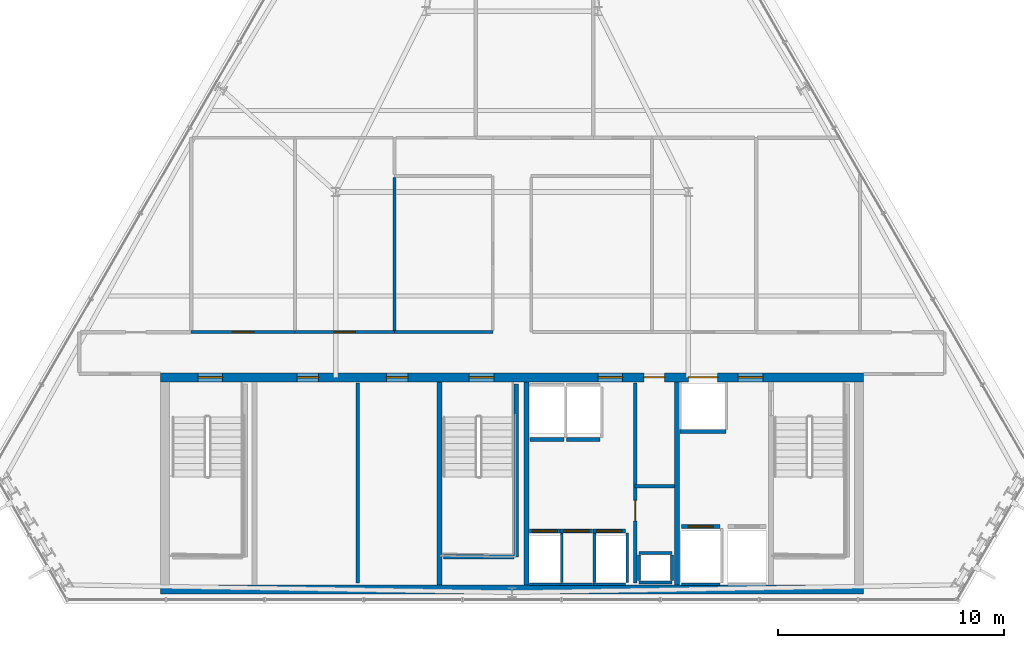
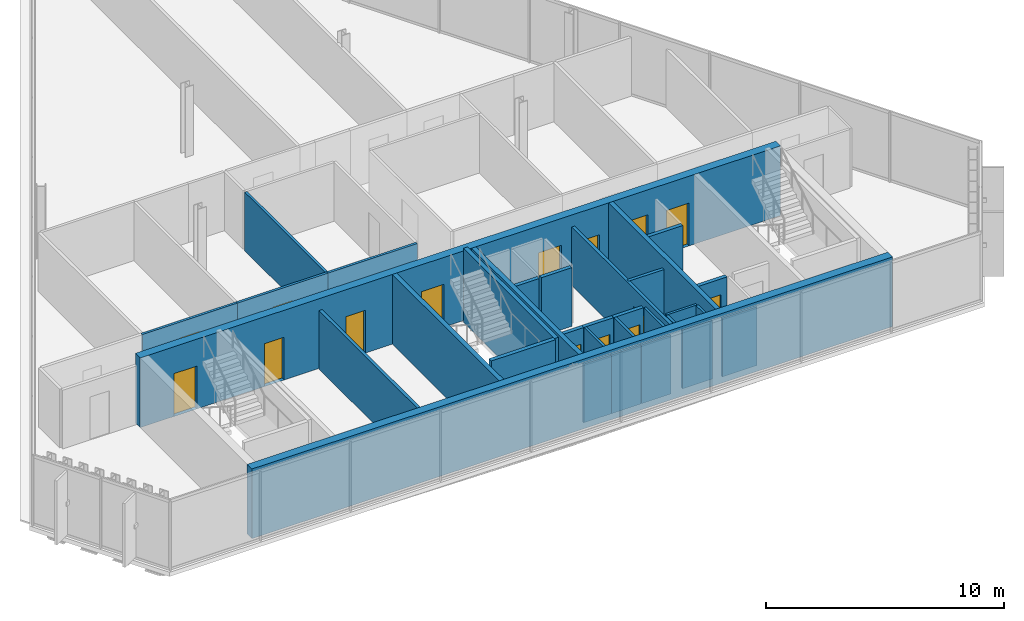
# One storey, part 24 of 29: 32 walls, 15 doors, 15 openings.
"""IFC4 building model written with IfcOpenShell, lengths in metres."""

import ifcopenshell
import ifcopenshell.guid

model = None  # the IFC model being written
_history = None  # IfcOwnerHistory: only IFC2X3 demands one
_inside = {}  # id of a spatial element -> (the spatial element, [elements in it])
_under = {}  # id of a project, library or spatial element -> (it, [spatial elements below it])
_declared = {}  # id of a project -> (the project, [libraries it declares])
_typed = {}  # id of a type object -> (the type object, [elements of that type])
_made_of = {}  # id of a material, layer set ... -> (it, [elements and type objects made of it])


def new_model(schema):
    """Start an empty IFC model of exactly this schema.

    Asked for "IFC4X3", IfcOpenShell would pick the latest addendum, in which some entities
    have other attributes; the version numbers below select the first issue.
    IFC2X3 requires an IfcOwnerHistory on every rooted entity: one is made here for all.
    """
    global model, _history
    if schema == "IFC4X3":
        model = ifcopenshell.file(schema_version=(4, 3, 0, 0))
    else:
        model = ifcopenshell.file(schema=schema)
    _inside.clear()
    _under.clear()
    _declared.clear()
    _typed.clear()
    _made_of.clear()
    _history = None
    if model.schema == "IFC2X3":
        org = make("IfcOrganization", Name="unknown")
        user = make(
            "IfcPersonAndOrganization",
            ThePerson=make("IfcPerson", FamilyName="unknown"),
            TheOrganization=org,
        )
        app = make(
            "IfcApplication",
            ApplicationDeveloper=org,
            Version="unknown",
            ApplicationFullName="unknown",
            ApplicationIdentifier="unknown",
        )
        _history = make(
            "IfcOwnerHistory",
            OwningUser=user,
            OwningApplication=app,
            ChangeAction="ADDED",
            CreationDate=0,
        )
    return model


def make(cls, **values):
    """One entity of the class cls with the attributes given. An attribute that is None is left unset."""
    return model.create_entity(
        cls, **{name: value for name, value in values.items() if value is not None}
    )


def rooted(cls, **values):
    """An entity with a GlobalId (a new one), such as an element, a storey or a relation."""
    return make(cls, GlobalId=ifcopenshell.guid.new(), OwnerHistory=_history, **values)


def si_unit(unit_type, name, prefix=None):
    """IfcSIUnit, for example si_unit("LENGTHUNIT", "METRE", prefix="MILLI")."""
    return make("IfcSIUnit", UnitType=unit_type, Prefix=prefix, Name=name)


def assignment(units):
    """IfcUnitAssignment: the units of a project."""
    return None if units is None else make("IfcUnitAssignment", Units=units)


def point(xyz):
    """IfcCartesianPoint."""
    return None if xyz is None else make("IfcCartesianPoint", Coordinates=xyz)


def direction(xyz):
    """IfcDirection."""
    return None if xyz is None else make("IfcDirection", DirectionRatios=xyz)


def frame(location, z_axis=None, x_axis=None):
    """IfcAxis2Placement3D, a coordinate frame: its origin and axes. An axis left out is left unset."""
    return make(
        "IfcAxis2Placement3D",
        Location=point(location),
        Axis=direction(z_axis),
        RefDirection=direction(x_axis),
    )


def frame_2d(location, x_axis=None):
    """IfcAxis2Placement2D, a coordinate frame in the plane: its origin and x axis."""
    return make(
        "IfcAxis2Placement2D", Location=point(location), RefDirection=direction(x_axis)
    )


def origin():
    """The frame at (0, 0, 0) with its axes left unset."""
    return frame((0.0, 0.0, 0.0))


def place(relative_to, where):
    """IfcLocalPlacement: puts the frame where relative to a parent placement (None: the world)."""
    return make(
        "IfcLocalPlacement", PlacementRelTo=relative_to, RelativePlacement=where
    )


def context(
    kind, dimensions, precision=None, world=None, true_north=None, identifier=None
):
    """IfcGeometricRepresentationContext, for example the 3D "Model" context."""
    return make(
        "IfcGeometricRepresentationContext",
        ContextIdentifier=identifier,
        ContextType=kind,
        CoordinateSpaceDimension=dimensions,
        Precision=precision,
        WorldCoordinateSystem=world,
        TrueNorth=true_north,
    )


def subcontext(parent, identifier, kind, view, scale=None):
    """IfcGeometricRepresentationSubContext, for example "Body" below "Model"."""
    return make(
        "IfcGeometricRepresentationSubContext",
        ContextIdentifier=identifier,
        ContextType=kind,
        ParentContext=parent,
        TargetScale=scale,
        TargetView=view,
    )


def project(units=None, contexts=None):
    """IfcProject with its units and contexts."""
    return rooted(
        "IfcProject",
        Name="project",
        RepresentationContexts=contexts,
        UnitsInContext=assignment(units),
    )


def spatial(cls, under=None, at=None, **own):
    """A site, building, storey or space (cls), placed at a placement, below another one or the project."""
    s = rooted(cls, ObjectPlacement=at, **own)
    if under is not None:
        _under.setdefault(under.id(), (under, []))[1].append(s)
    return s


def profile(cls, at=None, kind="AREA", **sizes):
    """A parametric profile (cls). Its sizes go by their IFC names, for example OverallWidth=200.0."""
    return make(cls, ProfileType=kind, Position=at, **sizes)


def rectangle(**sizes):
    """IfcRectangleProfileDef."""
    return profile("IfcRectangleProfileDef", **sizes)


def extrude(swept, where, along, depth):
    """IfcExtrudedAreaSolid: the profile swept, set in the frame where, extruded along a direction by depth."""
    return make(
        "IfcExtrudedAreaSolid",
        SweptArea=swept,
        Position=where,
        ExtrudedDirection=direction(along),
        Depth=depth,
    )


def shape(context_of_items, identifier, shape_type, items):
    """IfcShapeRepresentation: the items that make up one representation, for example the "Body"."""
    return make(
        "IfcShapeRepresentation",
        ContextOfItems=context_of_items,
        RepresentationIdentifier=identifier,
        RepresentationType=shape_type,
        Items=items,
    )


def material(Name=None, Category=None):
    """IfcMaterial."""
    return make("IfcMaterial", Name=Name, Category=Category)


def layer(
    of_material, thickness, ventilated=None, Name=None, Category=None, Priority=None
):
    """IfcMaterialLayer: one layer of a wall or slab, of a material (None: an air gap)."""
    return make(
        "IfcMaterialLayer",
        Material=of_material,
        LayerThickness=thickness,
        IsVentilated=ventilated,
        Name=Name,
        Category=Category,
        Priority=Priority,
    )


def layer_set(layers, Name=None):
    """IfcMaterialLayerSet."""
    return make("IfcMaterialLayerSet", MaterialLayers=layers, LayerSetName=Name)


def made_of(thing, what):
    """Note that an element or type object is made of a material, layer set ...; save() writes the relation."""
    if what is not None:
        _made_of.setdefault(what.id(), (what, []))[1].append(thing)
    return thing


def type_object(cls, material=None, **own):
    """A type object (cls), such as IfcWallType, which elements share."""
    return made_of(rooted(cls, **own), material)


def element(
    cls,
    number,
    at=None,
    inside=None,
    cuts=None,
    type_object=None,
    material=None,
    context=None,
    identifier="Body",
    shape_type=None,
    held_by="IfcProductDefinitionShape",
    body=None,
    shapes=None,
    **own,
):
    """One element of the class cls, such as IfcWall. Its Tag is "e" and its number.

    at: its placement. inside: the storey or other place that contains it. cuts: it is an
    opening in that element (IfcRelVoidsElement). A single representation is given by context,
    identifier, shape_type and body (its items); several are given by shapes. held_by: the class
    of the entity that holds the representations. save() writes the other relations.
    """
    e = rooted(cls, Tag="e%d" % number, ObjectPlacement=at, **own)
    if body is not None:
        shapes = [shape(context, identifier, shape_type, body)]
    if shapes is not None:
        e.Representation = make(held_by, Representations=shapes)
    if inside is not None:
        _inside.setdefault(inside.id(), (inside, []))[1].append(e)
    if cuts is not None:
        rooted(
            "IfcRelVoidsElement", RelatingBuildingElement=cuts, RelatedOpeningElement=e
        )
    if type_object is not None:
        _typed.setdefault(type_object.id(), (type_object, []))[1].append(e)
    return made_of(e, material)


def fill(opening, filler):
    """IfcRelFillsElement: the door or window that sits in an opening."""
    return rooted(
        "IfcRelFillsElement",
        RelatingOpeningElement=opening,
        RelatedBuildingElement=filler,
    )


def aggregate(whole, parts):
    """IfcRelAggregates: a whole, such as a stair, and the parts it consists of."""
    return rooted("IfcRelAggregates", RelatingObject=whole, RelatedObjects=parts)


def save(model, path):
    """Write the relations noted so far, then the file.

    IfcRelAggregates (storeys below a building ...), IfcRelContainedInSpatialStructure (elements
    in a storey), IfcRelDefinesByType, IfcRelAssociatesMaterial and IfcRelDeclares: one each for
    every whole, place, type object, material and project.
    """
    for whole, parts in _under.values():
        aggregate(whole, parts)
    for where, things in _inside.values():
        rooted(
            "IfcRelContainedInSpatialStructure",
            RelatedElements=things,
            RelatingStructure=where,
        )
    for kind, things in _typed.values():
        rooted("IfcRelDefinesByType", RelatedObjects=things, RelatingType=kind)
    for what, things in _made_of.values():
        rooted("IfcRelAssociatesMaterial", RelatedObjects=things, RelatingMaterial=what)
    for by, libraries in _declared.values():
        rooted("IfcRelDeclares", RelatingContext=by, RelatedDefinitions=libraries)
    model.write(path)


model = new_model("IFC4")

# Units and contexts
model_context = context("Model", 3, precision=1e-05, world=origin(), true_north=direction((0.0, 1.0)))
body_context = subcontext(model_context, "Body", "Model", "MODEL_VIEW")
ifc_project = project(units=[si_unit("LENGTHUNIT", "METRE"), si_unit("AREAUNIT", "SQUARE_METRE"), si_unit("VOLUMEUNIT", "CUBIC_METRE"), si_unit("PLANEANGLEUNIT", "RADIAN"), si_unit("MASSUNIT", "GRAM", prefix="KILO")], contexts=[model_context])

# Site, building, storey
site_placement = place(None, origin())
site = spatial("IfcSite", under=ifc_project, at=site_placement, CompositionType="ELEMENT")
building_placement = place(site_placement, origin())
building = spatial("IfcBuilding", under=site, at=building_placement, Name="Ndaravel Arena Tower", CompositionType="ELEMENT")
storey_placement = place(building_placement, frame((0.0, 0.0, 240.800048828125)))
storey = spatial("IfcBuildingStorey", under=building, at=storey_placement, Name="L58", CompositionType="ELEMENT", Elevation=240.800048828125)

# Wall, opening, door
ifc_material_1 = material(Name="Gypsum", Category="gypsum")
ifc_layer_1 = layer(ifc_material_1, 0.14990234375)
ifc_layer_set_1 = layer_set([ifc_layer_1], Name="Gypsum")
wall_type_1 = type_object("IfcWallType", Name="WALL-COMP-150", PredefinedType="PARTITIONING", material=ifc_layer_set_1)
wall_1_placement = place(storey_placement, frame((47.449951171875, 5.89990234375, 0.0), z_axis=(0.0, 0.0, 1.0), x_axis=(0.0, 1.0, 0.0)))
wall_1 = element("IfcWall", 1, at=wall_1_placement, inside=storey, type_object=wall_type_1, Name="L58 Core Riser Bay Partition", PredefinedType="PARTITIONING", context=body_context, shape_type="SweptSolid", body=[
    extrude(rectangle(XDim=8.85009765625, YDim=0.14990234375, at=frame_2d((4.425048828125, 0.0))), origin(), (0.0, 0.0, 1.0), 3.010498046875),
])
opening_1_placement = place(wall_1_placement, frame((2.75, 0.0, 0.0)))
opening_1 = element("IfcOpeningElement", 2, at=opening_1_placement, cuts=wall_1, Name="Opening RD-01", PredefinedType="OPENING", context=body_context, shape_type="SweptSolid", body=[
    extrude(rectangle(XDim=0.89990234375, YDim=2.10009765625, at=frame_2d((0.449951171875, 1.050048828125))), frame((0.0, 0.074951171875, 0.0), z_axis=(0.0, -1.0, 0.0), x_axis=(1.0, 0.0, 0.0)), (0.0, 0.0, 1.0), 0.14990234375),
])
ifc_material_2 = material(Name="Steel S355", Category="steel")
door_type_1 = type_object("IfcDoorType", Name="DT-08-RISER-900", OperationType="SINGLE_SWING_LEFT", PredefinedType="DOOR", material=ifc_material_2)
door_1_placement = place(opening_1_placement, origin())
door_1 = element("IfcDoor", 3, at=door_1_placement, inside=storey, type_object=door_type_1, Name="L58 Electrical Riser Door", OperationType="SINGLE_SWING_RIGHT", OverallHeight=2.10009765625, OverallWidth=0.89990234375, PredefinedType="DOOR", context=body_context, shape_type="SweptSolid", body=[
    extrude(rectangle(XDim=0.89990234375, YDim=2.10009765625, at=frame_2d((0.449951171875, 1.050048828125))), frame((0.0, 0.02490234375, 0.0), z_axis=(0.0, -1.0, 0.0), x_axis=(1.0, 0.0, 0.0)), (0.0, 0.0, 1.0), 0.050048828125),
])
fill(opening_1, door_1)

# Walls
wall_2_placement = place(storey_placement, frame((47.449951171875, 10.179931640625, 0.0), z_axis=(0.0, 0.0, 1.0), x_axis=(1.0, 0.0, 0.0)))
element("IfcWall", 4, at=wall_2_placement, inside=storey, type_object=wall_type_1, Name="L58 Core Riser Divider 1", PredefinedType="PARTITIONING", context=body_context, shape_type="SweptSolid", body=[
    extrude(rectangle(XDim=1.72998046875, YDim=0.14990234375, at=frame_2d((0.864990234375, 0.0))), origin(), (0.0, 0.0, 1.0), 3.010498046875),
])
wall_3_placement = place(storey_placement, frame((35.179931640625, 5.89990234375, 0.0), z_axis=(0.0, 0.0, 1.0), x_axis=(0.0, 1.0, 0.0)))
element("IfcWall", 5, at=wall_3_placement, inside=storey, type_object=wall_type_1, Name="L58 High-Zone Core Divider 1", PredefinedType="PARTITIONING", context=body_context, shape_type="SweptSolid", body=[
    extrude(rectangle(XDim=8.85009765625, YDim=0.14990234375, at=frame_2d((4.425048828125, 0.0))), origin(), (0.0, 0.0, 1.0), 3.010498046875),
])
ifc_material_3 = material(Name="Concrete C50/60", Category="concrete")
ifc_layer_2 = layer(ifc_material_3, 0.219970703125)
ifc_layer_set_2 = layer_set([ifc_layer_2], Name="Concrete C50/60")
wall_type_2 = type_object("IfcWallType", Name="WALL-CORE-220", PredefinedType="SOLIDWALL", material=ifc_layer_set_2)
for number, where, z_axis, x_axis, name in (
    (6, (38.800048828125, 5.800048828125, 0.0), (0.0, 0.0, 1.0), (0.0, 1.0, 0.0), "L58 Core Web Shear Wall 2"),
    (7, (42.64990234375, 5.800048828125, 0.0), (0.0, 0.0, 1.0), (0.0, 1.0, 0.0), "L58 Core Web Shear Wall 3"),
    (8, (49.300048828125, 5.800048828125, 0.0), (0.0, 0.0, 1.0), (0.0, 1.0, 0.0), "L58 Core Web Shear Wall 4"),
):
    element("IfcWall", number, at=place(storey_placement, frame(where, z_axis=z_axis, x_axis=x_axis)), inside=storey, type_object=wall_type_2, Name=name, PredefinedType="SOLIDWALL", context=body_context, shape_type="SweptSolid", body=[
        extrude(rectangle(XDim=9.0, YDim=0.219970703125, at=frame_2d((4.5, 0.0))), origin(), (0.0, 0.0, 1.0), 3.579833984375),
    ])

# Wall, openings, doors
ifc_material_4 = material(Name="Concrete C50/60", Category="concrete")
ifc_layer_3 = layer(ifc_material_4, 0.39990234375)
ifc_layer_set_3 = layer_set([ifc_layer_3], Name="Concrete C50/60")
wall_type_3 = type_object("IfcWallType", Name="WALL-CORE-400", PredefinedType="SOLIDWALL", material=ifc_layer_set_3)
wall_4_placement = place(storey_placement, frame((26.449951171875, 15.0, 0.0), z_axis=(0.0, 0.0, 1.0), x_axis=(1.0, 0.0, 0.0)))
wall_4 = element("IfcWall", 9, at=wall_4_placement, inside=storey, type_object=wall_type_3, Name="L58 Core North Shear Wall", PredefinedType="SOLIDWALL", context=body_context, shape_type="SweptSolid", body=[
    extrude(rectangle(XDim=31.10009765625, YDim=0.39990234375, at=frame_2d((15.550048828125, 0.0))), origin(), (0.0, 0.0, 1.0), 3.579833984375),
])
opening_2_placement = place(wall_4_placement, frame((1.64990234375, 0.0, 0.0)))
opening_2 = element("IfcOpeningElement", 10, at=opening_2_placement, cuts=wall_4, Name="Opening FD-01", PredefinedType="OPENING", context=body_context, shape_type="SweptSolid", body=[
    extrude(rectangle(XDim=1.10009765625, YDim=2.199951171875, at=frame_2d((0.550048828125, 1.10009765625))), frame((0.0, 0.199951171875, 0.0), z_axis=(0.0, -1.0, 0.0), x_axis=(1.0, 0.0, 0.0)), (0.0, 0.0, 1.0), 0.39990234375),
])
opening_3_placement = place(wall_4_placement, frame((13.64990234375, 0.0, 0.0)))
opening_3 = element("IfcOpeningElement", 11, at=opening_3_placement, cuts=wall_4, Name="Opening FD-01", PredefinedType="OPENING", context=body_context, shape_type="SweptSolid", body=[
    extrude(rectangle(XDim=1.10009765625, YDim=2.199951171875, at=frame_2d((0.550048828125, 1.10009765625))), frame((0.0, 0.199951171875, 0.0), z_axis=(0.0, -1.0, 0.0), x_axis=(1.0, 0.0, 0.0)), (0.0, 0.0, 1.0), 0.39990234375),
])
opening_4_placement = place(wall_4_placement, frame((25.550048828125, 0.0, 0.0)))
opening_4 = element("IfcOpeningElement", 12, at=opening_4_placement, cuts=wall_4, Name="Opening FD-01", PredefinedType="OPENING", context=body_context, shape_type="SweptSolid", body=[
    extrude(rectangle(XDim=1.10009765625, YDim=2.199951171875, at=frame_2d((0.550048828125, 1.10009765625))), frame((0.0, 0.199951171875, 0.0), z_axis=(0.0, -1.0, 0.0), x_axis=(1.0, 0.0, 0.0)), (0.0, 0.0, 1.0), 0.39990234375),
])
opening_5_placement = place(wall_4_placement, frame((19.35009765625, 0.0, 0.0)))
opening_5 = element("IfcOpeningElement", 13, at=opening_5_placement, cuts=wall_4, Name="Opening FD-01", PredefinedType="OPENING", context=body_context, shape_type="SweptSolid", body=[
    extrude(rectangle(XDim=1.10009765625, YDim=2.199951171875, at=frame_2d((0.550048828125, 1.10009765625))), frame((0.0, 0.199951171875, 0.0), z_axis=(0.0, -1.0, 0.0), x_axis=(1.0, 0.0, 0.0)), (0.0, 0.0, 1.0), 0.39990234375),
])
opening_6_placement = place(wall_4_placement, frame((21.39990234375, 0.0, 0.0)))
opening_6 = element("IfcOpeningElement", 14, at=opening_6_placement, cuts=wall_4, Name="Opening RD-01", PredefinedType="OPENING", context=body_context, shape_type="SweptSolid", body=[
    extrude(rectangle(XDim=0.89990234375, YDim=2.10009765625, at=frame_2d((0.449951171875, 1.050048828125))), frame((0.0, 0.199951171875, 0.0), z_axis=(0.0, -1.0, 0.0), x_axis=(1.0, 0.0, 0.0)), (0.0, 0.0, 1.0), 0.39990234375),
])
opening_7_placement = place(wall_4_placement, frame((6.0400390625, 0.0, 0.0)))
opening_7 = element("IfcOpeningElement", 15, at=opening_7_placement, cuts=wall_4, Name="Opening FD-03", PredefinedType="OPENING", context=body_context, shape_type="SweptSolid", body=[
    extrude(rectangle(XDim=0.949951171875, YDim=2.199951171875, at=frame_2d((0.47509765625, 1.10009765625))), frame((0.0, 0.199951171875, 0.0), z_axis=(0.0, -1.0, 0.0), x_axis=(1.0, 0.0, 0.0)), (0.0, 0.0, 1.0), 0.39990234375),
])
opening_8_placement = place(wall_4_placement, frame((9.989990234375, 0.0, 0.0)))
opening_8 = element("IfcOpeningElement", 16, at=opening_8_placement, cuts=wall_4, Name="Opening FD-03", PredefinedType="OPENING", context=body_context, shape_type="SweptSolid", body=[
    extrude(rectangle(XDim=0.949951171875, YDim=2.199951171875, at=frame_2d((0.47509765625, 1.10009765625))), frame((0.0, 0.199951171875, 0.0), z_axis=(0.0, -1.0, 0.0), x_axis=(1.0, 0.0, 0.0)), (0.0, 0.0, 1.0), 0.39990234375),
])
opening_9_placement = place(wall_4_placement, frame((23.35009765625, 0.0, 0.0)))
opening_9 = element("IfcOpeningElement", 17, at=opening_9_placement, cuts=wall_4, Name="Opening LD-02", PredefinedType="OPENING", context=body_context, shape_type="SweptSolid", body=[
    extrude(rectangle(XDim=1.300048828125, YDim=2.300048828125, at=frame_2d((0.64990234375, 1.14990234375))), frame((0.0, 0.199951171875, 0.0), z_axis=(0.0, -1.0, 0.0), x_axis=(1.0, 0.0, 0.0)), (0.0, 0.0, 1.0), 0.39990234375),
])
ifc_material_5 = material(Name="Steel S355", Category="steel")
door_type_2 = type_object("IfcDoorType", Name="DT-01-STAIR-1100", OperationType="SINGLE_SWING_LEFT", PredefinedType="DOOR", material=ifc_material_5)
door_2_placement = place(opening_2_placement, origin())
door_2 = element("IfcDoor", 18, at=door_2_placement, inside=storey, type_object=door_type_2, Name="L58 Exit Stair ST-1 Door", OperationType="SINGLE_SWING_LEFT", OverallHeight=2.199951171875, OverallWidth=1.10009765625, PredefinedType="DOOR", context=body_context, shape_type="SweptSolid", body=[
    extrude(rectangle(XDim=1.10009765625, YDim=2.199951171875, at=frame_2d((0.550048828125, 1.10009765625))), frame((0.0, 0.02490234375, 0.0), z_axis=(0.0, -1.0, 0.0), x_axis=(1.0, 0.0, 0.0)), (0.0, 0.0, 1.0), 0.050048828125),
])
fill(opening_2, door_2)
door_3_placement = place(opening_3_placement, origin())
door_3 = element("IfcDoor", 19, at=door_3_placement, inside=storey, type_object=door_type_2, Name="L58 Exit Stair ST-2 Door", OperationType="SINGLE_SWING_RIGHT", OverallHeight=2.199951171875, OverallWidth=1.10009765625, PredefinedType="DOOR", context=body_context, shape_type="SweptSolid", body=[
    extrude(rectangle(XDim=1.10009765625, YDim=2.199951171875, at=frame_2d((0.550048828125, 1.10009765625))), frame((0.0, 0.02490234375, 0.0), z_axis=(0.0, -1.0, 0.0), x_axis=(1.0, 0.0, 0.0)), (0.0, 0.0, 1.0), 0.050048828125),
])
fill(opening_3, door_3)
door_4_placement = place(opening_4_placement, origin())
door_4 = element("IfcDoor", 20, at=door_4_placement, inside=storey, type_object=door_type_2, Name="L58 Firefighting Lift Lobby Door", OperationType="SINGLE_SWING_RIGHT", OverallHeight=2.199951171875, OverallWidth=1.10009765625, PredefinedType="DOOR", context=body_context, shape_type="SweptSolid", body=[
    extrude(rectangle(XDim=1.10009765625, YDim=2.199951171875, at=frame_2d((0.550048828125, 1.10009765625))), frame((0.0, 0.02490234375, 0.0), z_axis=(0.0, -1.0, 0.0), x_axis=(1.0, 0.0, 0.0)), (0.0, 0.0, 1.0), 0.050048828125),
])
fill(opening_4, door_4)
door_5_placement = place(opening_5_placement, origin())
door_5 = element("IfcDoor", 21, at=door_5_placement, inside=storey, type_object=door_type_2, Name="L58 Express Lift Lobby Entry Door", OperationType="SINGLE_SWING_LEFT", OverallHeight=2.199951171875, OverallWidth=1.10009765625, PredefinedType="DOOR", context=body_context, shape_type="SweptSolid", body=[
    extrude(rectangle(XDim=1.10009765625, YDim=2.199951171875, at=frame_2d((0.550048828125, 1.10009765625))), frame((0.0, 0.02490234375, 0.0), z_axis=(0.0, -1.0, 0.0), x_axis=(1.0, 0.0, 0.0)), (0.0, 0.0, 1.0), 0.050048828125),
])
fill(opening_5, door_5)
ifc_material_6 = material(Name="Steel S355", Category="steel")
door_type_3 = type_object("IfcDoorType", Name="DT-07-SVLIFT-1300", OperationType="DOUBLE_DOOR_SLIDING", PredefinedType="DOOR", material=ifc_material_6)
door_6_placement = place(opening_9_placement, origin())
door_6 = element("IfcDoor", 22, at=door_6_placement, inside=storey, type_object=door_type_3, Name="L58 Lift SVL-1 Sliding Landing Door", OperationType="DOUBLE_DOOR_SLIDING", OverallHeight=2.300048828125, OverallWidth=1.300048828125, PredefinedType="DOOR", context=body_context, shape_type="SweptSolid", body=[
    extrude(rectangle(XDim=1.300048828125, YDim=2.300048828125, at=frame_2d((0.64990234375, 1.14990234375))), frame((0.0, 0.02490234375, 0.0), z_axis=(0.0, -1.0, 0.0), x_axis=(1.0, 0.0, 0.0)), (0.0, 0.0, 1.0), 0.050048828125),
])
fill(opening_9, door_6)
door_7_placement = place(opening_6_placement, origin())
door_7 = element("IfcDoor", 23, at=door_7_placement, inside=storey, type_object=door_type_1, Name="L58 Core Service Riser North Door", OperationType="SINGLE_SWING_LEFT", OverallHeight=2.10009765625, OverallWidth=0.89990234375, PredefinedType="DOOR", context=body_context, shape_type="SweptSolid", body=[
    extrude(rectangle(XDim=0.89990234375, YDim=2.10009765625, at=frame_2d((0.449951171875, 1.050048828125))), frame((0.0, 0.02490234375, 0.0), z_axis=(0.0, -1.0, 0.0), x_axis=(1.0, 0.0, 0.0)), (0.0, 0.0, 1.0), 0.050048828125),
])
fill(opening_6, door_7)
ifc_material_7 = material(Name="Steel S355", Category="steel")
door_type_4 = type_object("IfcDoorType", Name="DT-11-CORE-950", OperationType="SINGLE_SWING_LEFT", PredefinedType="DOOR", material=ifc_material_7)
door_8_placement = place(opening_7_placement, origin())
door_8 = element("IfcDoor", 24, at=door_8_placement, inside=storey, type_object=door_type_4, Name="L58 High-Zone Reclaimed Core Room 1 Door", OperationType="SINGLE_SWING_LEFT", OverallHeight=2.199951171875, OverallWidth=0.949951171875, PredefinedType="DOOR", context=body_context, shape_type="SweptSolid", body=[
    extrude(rectangle(XDim=0.949951171875, YDim=2.199951171875, at=frame_2d((0.47509765625, 1.10009765625))), frame((0.0, 0.02490234375, 0.0), z_axis=(0.0, -1.0, 0.0), x_axis=(1.0, 0.0, 0.0)), (0.0, 0.0, 1.0), 0.050048828125),
])
fill(opening_7, door_8)
door_9_placement = place(opening_8_placement, origin())
door_9 = element("IfcDoor", 25, at=door_9_placement, inside=storey, type_object=door_type_4, Name="L58 High-Zone Reclaimed Core Room 2 Door", OperationType="SINGLE_SWING_RIGHT", OverallHeight=2.199951171875, OverallWidth=0.949951171875, PredefinedType="DOOR", context=body_context, shape_type="SweptSolid", body=[
    extrude(rectangle(XDim=0.949951171875, YDim=2.199951171875, at=frame_2d((0.47509765625, 1.10009765625))), frame((0.0, 0.02490234375, 0.0), z_axis=(0.0, -1.0, 0.0), x_axis=(1.0, 0.0, 0.0)), (0.0, 0.0, 1.0), 0.050048828125),
])
fill(opening_8, door_9)

# Wall
wall_5_placement = place(storey_placement, frame((26.449951171875, 5.60009765625, 0.0), z_axis=(0.0, 0.0, 1.0), x_axis=(1.0, 0.0, 0.0)))
element("IfcWall", 26, at=wall_5_placement, inside=storey, type_object=wall_type_3, Name="L58 Core South Shear Wall", PredefinedType="SOLIDWALL", context=body_context, shape_type="SweptSolid", body=[
    extrude(rectangle(XDim=31.10009765625, YDim=0.39990234375, at=frame_2d((15.550048828125, 0.0))), origin(), (0.0, 0.0, 1.0), 3.579833984375),
])

# Wall, opening, door
ifc_material_8 = material(Name="Gypsum", Category="gypsum")
ifc_layer_4 = layer(ifc_material_8, 0.125)
ifc_layer_set_4 = layer_set([ifc_layer_4], Name="Gypsum")
wall_type_4 = type_object("IfcWallType", Name="WALL-PART-125", PredefinedType="PARTITIONING", material=ifc_layer_set_4)
wall_6_placement = place(storey_placement, frame((27.800048828125, 17.0, 0.0), z_axis=(0.0, 0.0, 1.0), x_axis=(1.0, 0.0, 0.0)))
wall_6 = element("IfcWall", 27, at=wall_6_placement, inside=storey, type_object=wall_type_4, Name="L58 Interior Partition 006", PredefinedType="PARTITIONING", context=body_context, shape_type="SweptSolid", body=[
    extrude(rectangle(XDim=4.599853515625, YDim=0.125, at=frame_2d((2.2998046875, 0.0))), origin(), (0.0, 0.0, 1.0), 3.010498046875),
])
opening_10_placement = place(wall_6_placement, frame((1.824951171875, 0.0, 0.0)))
opening_10 = element("IfcOpeningElement", 28, at=opening_10_placement, cuts=wall_6, Name="Opening ID-01", PredefinedType="OPENING", context=body_context, shape_type="SweptSolid", body=[
    extrude(rectangle(XDim=0.949951171875, YDim=2.199951171875, at=frame_2d((0.47509765625, 1.10009765625))), frame((0.0, 0.0625, 0.0), z_axis=(0.0, -1.0, 0.0), x_axis=(1.0, 0.0, 0.0)), (0.0, 0.0, 1.0), 0.125),
])
ifc_material_9 = material(Name="Timber", Category="wood")
door_type_5 = type_object("IfcDoorType", Name="DT-03-OFFICE-950", OperationType="SINGLE_SWING_LEFT", PredefinedType="DOOR", material=ifc_material_9)
door_10_placement = place(opening_10_placement, origin())
door_10 = element("IfcDoor", 29, at=door_10_placement, inside=storey, type_object=door_type_5, Name="L58 Barista Galley 3 Door", OperationType="SINGLE_SWING_RIGHT", OverallHeight=2.199951171875, OverallWidth=0.949951171875, PredefinedType="DOOR", context=body_context, shape_type="SweptSolid", body=[
    extrude(rectangle(XDim=0.949951171875, YDim=2.199951171875, at=frame_2d((0.47509765625, 1.10009765625))), frame((0.0, 0.02490234375, 0.0), z_axis=(0.0, -1.0, 0.0), x_axis=(1.0, 0.0, 0.0)), (0.0, 0.0, 1.0), 0.050048828125),
])
fill(opening_10, door_10)

wall_7_placement = place(storey_placement, frame((32.39990234375, 17.0, 0.0), z_axis=(0.0, 0.0, 1.0), x_axis=(1.0, 0.0, 0.0)))
wall_7 = element("IfcWall", 30, at=wall_7_placement, inside=storey, type_object=wall_type_4, Name="L58 Interior Partition 007", PredefinedType="PARTITIONING", context=body_context, shape_type="SweptSolid", body=[
    extrude(rectangle(XDim=4.400146484375, YDim=0.125, at=frame_2d((2.2001953125, 0.0))), origin(), (0.0, 0.0, 1.0), 3.010498046875),
])
opening_11_placement = place(wall_7_placement, frame((1.72509765625, 0.0, 0.0)))
opening_11 = element("IfcOpeningElement", 31, at=opening_11_placement, cuts=wall_7, Name="Opening ID-01", PredefinedType="OPENING", context=body_context, shape_type="SweptSolid", body=[
    extrude(rectangle(XDim=0.949951171875, YDim=2.199951171875, at=frame_2d((0.47509765625, 1.10009765625))), frame((0.0, 0.0625, 0.0), z_axis=(0.0, -1.0, 0.0), x_axis=(1.0, 0.0, 0.0)), (0.0, 0.0, 1.0), 0.125),
])
door_11_placement = place(opening_11_placement, origin())
door_11 = element("IfcDoor", 32, at=door_11_placement, inside=storey, type_object=door_type_5, Name="L58 Wellness Fitness Gym 2 Door", OperationType="SINGLE_SWING_LEFT", OverallHeight=2.199951171875, OverallWidth=0.949951171875, PredefinedType="DOOR", context=body_context, shape_type="SweptSolid", body=[
    extrude(rectangle(XDim=0.949951171875, YDim=2.199951171875, at=frame_2d((0.47509765625, 1.10009765625))), frame((0.0, 0.02490234375, 0.0), z_axis=(0.0, -1.0, 0.0), x_axis=(1.0, 0.0, 0.0)), (0.0, 0.0, 1.0), 0.050048828125),
])
fill(opening_11, door_11)

# Walls
wall_8_placement = place(storey_placement, frame((36.800048828125, 17.0, 0.0), z_axis=(0.0, 0.0, 1.0), x_axis=(1.0, 0.0, 0.0)))
element("IfcWall", 33, at=wall_8_placement, inside=storey, type_object=wall_type_4, Name="L58 Interior Partition 008", PredefinedType="PARTITIONING", context=body_context, shape_type="SweptSolid", body=[
    extrude(rectangle(XDim=4.349853515625, YDim=0.125, at=frame_2d((2.1748046875, 0.0))), origin(), (0.0, 0.0, 1.0), 3.010498046875),
])
wall_9_placement = place(storey_placement, frame((36.800048828125, 17.06494140625, 0.0), z_axis=(0.0, 0.0, 1.0), x_axis=(0.0, 1.0, 0.0)))
element("IfcWall", 34, at=wall_9_placement, inside=storey, type_object=wall_type_4, Name="L58 Interior Partition 026", PredefinedType="PARTITIONING", context=body_context, shape_type="SweptSolid", body=[
    extrude(rectangle(XDim=6.77001953125, YDim=0.125, at=frame_2d((3.385009765625, 0.0))), origin(), (0.0, 0.0, 1.0), 3.010498046875),
])
ifc_material_10 = material(Name="Concrete C40/50", Category="concrete")
ifc_layer_5 = layer(ifc_material_10, 0.1201171875)
ifc_layer_set_5 = layer_set([ifc_layer_5], Name="Concrete C40/50")
wall_type_5 = type_object("IfcWallType", Name="WALL-SHAFT-120", PredefinedType="SOLIDWALL", material=ifc_layer_set_5)
for number, where, z_axis, x_axis, name in (
    (35, (47.6201171875, 5.919921875, 0.0), (0.0, 0.0, 1.0), (1.0, 0.0, 0.0), "L58 MEP Riser Shaft S Wall"),
    (36, (47.6201171875, 7.219970703125, 0.0), (0.0, 0.0, 1.0), (1.0, 0.0, 0.0), "L58 MEP Riser Shaft N Wall"),
):
    element("IfcWall", number, at=place(storey_placement, frame(where, z_axis=z_axis, x_axis=x_axis)), inside=storey, type_object=wall_type_5, Name=name, PredefinedType="SOLIDWALL", context=body_context, shape_type="SweptSolid", body=[
        extrude(rectangle(XDim=1.4599609375, YDim=0.1201171875, at=frame_2d((0.72998046875, 0.0))), origin(), (0.0, 0.0, 1.0), 3.010498046875),
    ])
for number, where, z_axis, x_axis, name in (
    (37, (47.6201171875, 6.0, 0.0), (0.0, 0.0, 1.0), (0.0, 1.0, 0.0), "L58 MEP Riser Shaft W Wall"),
    (38, (49.080078125, 6.0, 0.0), (0.0, 0.0, 1.0), (0.0, 1.0, 0.0), "L58 MEP Riser Shaft E Wall"),
):
    element("IfcWall", number, at=place(storey_placement, frame(where, z_axis=z_axis, x_axis=x_axis)), inside=storey, type_object=wall_type_5, Name=name, PredefinedType="SOLIDWALL", context=body_context, shape_type="SweptSolid", body=[
        extrude(rectangle(XDim=1.139892578125, YDim=0.1201171875, at=frame_2d((0.56982421875, 0.0))), origin(), (0.0, 0.0, 1.0), 3.010498046875),
    ])
wall_10_placement = place(storey_placement, frame((42.780029296875, 5.840087890625, 0.0), z_axis=(0.0, 0.0, 1.0), x_axis=(1.0, 0.0, 0.0)))
element("IfcWall", 39, at=wall_10_placement, inside=storey, type_object=wall_type_5, Name="L58 PL-H1 Shaft Rear Wall", PredefinedType="SOLIDWALL", context=body_context, shape_type="SweptSolid", body=[
    extrude(rectangle(XDim=1.340087890625, YDim=0.1201171875, at=frame_2d((0.669921875, 0.0))), origin(), (0.0, 0.0, 1.0), 3.010498046875),
])
wall_11_placement = place(storey_placement, frame((44.199951171875, 5.929931640625, 0.0), z_axis=(0.0, 0.0, 1.0), x_axis=(0.0, 1.0, 0.0)))
element("IfcWall", 40, at=wall_11_placement, inside=storey, type_object=wall_type_5, Name="L58 PL-H1 Shaft Side R Wall", PredefinedType="SOLIDWALL", context=body_context, shape_type="SweptSolid", body=[
    extrude(rectangle(XDim=2.18017578125, YDim=0.1201171875, at=frame_2d((1.090087890625, 0.0))), origin(), (0.0, 0.0, 1.0), 3.010498046875),
])
wall_12_placement = place(storey_placement, frame((44.1298828125, 5.840087890625, 0.0), z_axis=(0.0, 0.0, 1.0), x_axis=(1.0, 0.0, 0.0)))
element("IfcWall", 41, at=wall_12_placement, inside=storey, type_object=wall_type_5, Name="L58 PL-H2 Shaft Rear Wall", PredefinedType="SOLIDWALL", context=body_context, shape_type="SweptSolid", body=[
    extrude(rectangle(XDim=1.440185546875, YDim=0.1201171875, at=frame_2d((0.72021484375, 0.0))), origin(), (0.0, 0.0, 1.0), 3.010498046875),
])
wall_13_placement = place(storey_placement, frame((45.64990234375, 5.929931640625, 0.0), z_axis=(0.0, 0.0, 1.0), x_axis=(0.0, 1.0, 0.0)))
element("IfcWall", 42, at=wall_13_placement, inside=storey, type_object=wall_type_5, Name="L58 PL-H2 Shaft Side R Wall", PredefinedType="SOLIDWALL", context=body_context, shape_type="SweptSolid", body=[
    extrude(rectangle(XDim=2.18017578125, YDim=0.1201171875, at=frame_2d((1.090087890625, 0.0))), origin(), (0.0, 0.0, 1.0), 3.010498046875),
])
wall_14_placement = place(storey_placement, frame((45.580078125, 5.840087890625, 0.0), z_axis=(0.0, 0.0, 1.0), x_axis=(1.0, 0.0, 0.0)))
element("IfcWall", 43, at=wall_14_placement, inside=storey, type_object=wall_type_5, Name="L58 PL-H3 Shaft Rear Wall", PredefinedType="SOLIDWALL", context=body_context, shape_type="SweptSolid", body=[
    extrude(rectangle(XDim=1.43994140625, YDim=0.1201171875, at=frame_2d((0.719970703125, 0.0))), origin(), (0.0, 0.0, 1.0), 3.010498046875),
])
wall_15_placement = place(storey_placement, frame((47.10009765625, 5.929931640625, 0.0), z_axis=(0.0, 0.0, 1.0), x_axis=(0.0, 1.0, 0.0)))
element("IfcWall", 44, at=wall_15_placement, inside=storey, type_object=wall_type_5, Name="L58 PL-H3 Shaft Side R Wall", PredefinedType="SOLIDWALL", context=body_context, shape_type="SweptSolid", body=[
    extrude(rectangle(XDim=2.18017578125, YDim=0.1201171875, at=frame_2d((1.090087890625, 0.0))), origin(), (0.0, 0.0, 1.0), 3.010498046875),
])
wall_16_placement = place(storey_placement, frame((49.5048828125, 5.840087890625, 0.0), z_axis=(0.0, 0.0, 1.0), x_axis=(1.0, 0.0, 0.0)))
element("IfcWall", 45, at=wall_16_placement, inside=storey, type_object=wall_type_5, Name="L58 FFL-1 Shaft Rear Wall", PredefinedType="SOLIDWALL", context=body_context, shape_type="SweptSolid", body=[
    extrude(rectangle(XDim=1.690185546875, YDim=0.1201171875, at=frame_2d((0.84521484375, 0.0))), origin(), (0.0, 0.0, 1.0), 3.010498046875),
])
ifc_material_11 = material(Name="Concrete C40/50", Category="concrete")
ifc_layer_6 = layer(ifc_material_11, 0.199951171875)
ifc_layer_set_6 = layer_set([ifc_layer_6], Name="Concrete C40/50")
wall_type_6 = type_object("IfcWallType", Name="WALL-SHAFT-200", PredefinedType="SOLIDWALL", material=ifc_layer_set_6)
wall_17_placement = place(storey_placement, frame((42.18994140625, 14.699951171875, 0.0), z_axis=(0.0, 0.0, 1.0), x_axis=(0.0, -1.0, 0.0)))
element("IfcWall", 46, at=wall_17_placement, inside=storey, type_object=wall_type_6, Name="L58 ST-2 Structural Shaft Wall Right", PredefinedType="SOLIDWALL", context=body_context, shape_type="SweptSolid", body=[
    extrude(rectangle(XDim=7.64990234375, YDim=0.199951171875, at=frame_2d((3.824951171875, 0.0))), origin(), (0.0, 0.0, 1.0), 3.800048828125),
])
wall_18_placement = place(storey_placement, frame((38.969970703125, 7.050048828125, 0.0), z_axis=(0.0, 0.0, 1.0), x_axis=(1.0, 0.0, 0.0)))
element("IfcWall", 47, at=wall_18_placement, inside=storey, type_object=wall_type_6, Name="L58 ST-2 Structural Shaft Wall Far", PredefinedType="SOLIDWALL", context=body_context, shape_type="SweptSolid", body=[
    extrude(rectangle(XDim=3.114990234375, YDim=0.199951171875, at=frame_2d((1.5576171875, 0.0))), origin(), (0.0, 0.0, 1.0), 3.800048828125),
])

# Wall, opening, door
wall_19_placement = place(storey_placement, frame((42.780029296875, 8.199951171875, 0.0), z_axis=(0.0, 0.0, 1.0), x_axis=(1.0, 0.0, 0.0)))
wall_19 = element("IfcWall", 48, at=wall_19_placement, inside=storey, type_object=wall_type_6, Name="L58 PL-H1 Shaft Landing Wall", PredefinedType="SOLIDWALL", context=body_context, shape_type="SweptSolid", body=[
    extrude(rectangle(XDim=1.340087890625, YDim=0.179931640625, at=frame_2d((0.669921875, 0.0))), origin(), (0.0, 0.0, 1.0), 3.010498046875),
])
opening_12_placement = place(wall_19_placement, frame((0.1201171875, 0.0, 0.0)))
opening_12 = element("IfcOpeningElement", 49, at=opening_12_placement, cuts=wall_19, Name="Opening LD-01", PredefinedType="OPENING", context=body_context, shape_type="SweptSolid", body=[
    extrude(rectangle(XDim=1.10009765625, YDim=2.199951171875, at=frame_2d((0.550048828125, 1.10009765625))), frame((0.0, 0.08984375, 0.0), z_axis=(0.0, -1.0, 0.0), x_axis=(1.0, 0.0, 0.0)), (0.0, 0.0, 1.0), 0.179931640625),
])
ifc_material_12 = material(Name="Steel S355", Category="steel")
door_type_6 = type_object("IfcDoorType", Name="DT-06-LIFT-1100", OperationType="SLIDING_TO_LEFT", PredefinedType="DOOR", material=ifc_material_12)
door_12_placement = place(opening_12_placement, origin())
door_12 = element("IfcDoor", 50, at=door_12_placement, inside=storey, type_object=door_type_6, Name="L58 Lift PL-H1 Sliding Landing Door", OperationType="SLIDING_TO_LEFT", OverallHeight=2.199951171875, OverallWidth=1.10009765625, PredefinedType="DOOR", context=body_context, shape_type="SweptSolid", body=[
    extrude(rectangle(XDim=1.10009765625, YDim=2.199951171875, at=frame_2d((0.550048828125, 1.10009765625))), frame((0.0, 0.02490234375, 0.0), z_axis=(0.0, -1.0, 0.0), x_axis=(1.0, 0.0, 0.0)), (0.0, 0.0, 1.0), 0.050048828125),
])
fill(opening_12, door_12)

wall_20_placement = place(storey_placement, frame((44.1298828125, 8.199951171875, 0.0), z_axis=(0.0, 0.0, 1.0), x_axis=(1.0, 0.0, 0.0)))
wall_20 = element("IfcWall", 51, at=wall_20_placement, inside=storey, type_object=wall_type_6, Name="L58 PL-H2 Shaft Landing Wall", PredefinedType="SOLIDWALL", context=body_context, shape_type="SweptSolid", body=[
    extrude(rectangle(XDim=1.440185546875, YDim=0.179931640625, at=frame_2d((0.72021484375, 0.0))), origin(), (0.0, 0.0, 1.0), 3.010498046875),
])
opening_13_placement = place(wall_20_placement, frame((0.169921875, 0.0, 0.0)))
opening_13 = element("IfcOpeningElement", 52, at=opening_13_placement, cuts=wall_20, Name="Opening LD-01", PredefinedType="OPENING", context=body_context, shape_type="SweptSolid", body=[
    extrude(rectangle(XDim=1.10009765625, YDim=2.199951171875, at=frame_2d((0.550048828125, 1.10009765625))), frame((0.0, 0.08984375, 0.0), z_axis=(0.0, -1.0, 0.0), x_axis=(1.0, 0.0, 0.0)), (0.0, 0.0, 1.0), 0.179931640625),
])
door_13_placement = place(opening_13_placement, origin())
door_13 = element("IfcDoor", 53, at=door_13_placement, inside=storey, type_object=door_type_6, Name="L58 Lift PL-H2 Sliding Landing Door", OperationType="SLIDING_TO_LEFT", OverallHeight=2.199951171875, OverallWidth=1.10009765625, PredefinedType="DOOR", context=body_context, shape_type="SweptSolid", body=[
    extrude(rectangle(XDim=1.10009765625, YDim=2.199951171875, at=frame_2d((0.550048828125, 1.10009765625))), frame((0.0, 0.02490234375, 0.0), z_axis=(0.0, -1.0, 0.0), x_axis=(1.0, 0.0, 0.0)), (0.0, 0.0, 1.0), 0.050048828125),
])
fill(opening_13, door_13)

wall_21_placement = place(storey_placement, frame((45.580078125, 8.199951171875, 0.0), z_axis=(0.0, 0.0, 1.0), x_axis=(1.0, 0.0, 0.0)))
wall_21 = element("IfcWall", 54, at=wall_21_placement, inside=storey, type_object=wall_type_6, Name="L58 PL-H3 Shaft Landing Wall", PredefinedType="SOLIDWALL", context=body_context, shape_type="SweptSolid", body=[
    extrude(rectangle(XDim=1.43994140625, YDim=0.179931640625, at=frame_2d((0.719970703125, 0.0))), origin(), (0.0, 0.0, 1.0), 3.010498046875),
])
opening_14_placement = place(wall_21_placement, frame((0.169921875, 0.0, 0.0)))
opening_14 = element("IfcOpeningElement", 55, at=opening_14_placement, cuts=wall_21, Name="Opening LD-01", PredefinedType="OPENING", context=body_context, shape_type="SweptSolid", body=[
    extrude(rectangle(XDim=1.10009765625, YDim=2.199951171875, at=frame_2d((0.550048828125, 1.10009765625))), frame((0.0, 0.08984375, 0.0), z_axis=(0.0, -1.0, 0.0), x_axis=(1.0, 0.0, 0.0)), (0.0, 0.0, 1.0), 0.179931640625),
])
door_14_placement = place(opening_14_placement, origin())
door_14 = element("IfcDoor", 56, at=door_14_placement, inside=storey, type_object=door_type_6, Name="L58 Lift PL-H3 Sliding Landing Door", OperationType="SLIDING_TO_LEFT", OverallHeight=2.199951171875, OverallWidth=1.10009765625, PredefinedType="DOOR", context=body_context, shape_type="SweptSolid", body=[
    extrude(rectangle(XDim=1.10009765625, YDim=2.199951171875, at=frame_2d((0.550048828125, 1.10009765625))), frame((0.0, 0.02490234375, 0.0), z_axis=(0.0, -1.0, 0.0), x_axis=(1.0, 0.0, 0.0)), (0.0, 0.0, 1.0), 0.050048828125),
])
fill(opening_14, door_14)

# Walls
for number, where, z_axis, x_axis, name in (
    (57, (42.804931640625, 12.25, 0.0), (0.0, 0.0, 1.0), (1.0, 0.0, 0.0), "L58 PL-OBS1 Shaft Landing Wall"),
    (58, (44.405029296875, 12.25, 0.0), (0.0, 0.0, 1.0), (1.0, 0.0, 0.0), "L58 PL-OBS2 Shaft Landing Wall"),
):
    element("IfcWall", number, at=place(storey_placement, frame(where, z_axis=z_axis, x_axis=x_axis)), inside=storey, type_object=wall_type_6, Name=name, PredefinedType="SOLIDWALL", context=body_context, shape_type="SweptSolid", body=[
        extrude(rectangle(XDim=1.489990234375, YDim=0.179931640625, at=frame_2d((0.7451171875, 0.0))), origin(), (0.0, 0.0, 1.0), 3.010498046875),
    ])

# Wall, opening, door
wall_22_placement = place(storey_placement, frame((49.5048828125, 8.39990234375, 0.0), z_axis=(0.0, 0.0, 1.0), x_axis=(1.0, 0.0, 0.0)))
wall_22 = element("IfcWall", 59, at=wall_22_placement, inside=storey, type_object=wall_type_6, Name="L58 FFL-1 Shaft Landing Wall", PredefinedType="SOLIDWALL", context=body_context, shape_type="SweptSolid", body=[
    extrude(rectangle(XDim=1.690185546875, YDim=0.179931640625, at=frame_2d((0.84521484375, 0.0))), origin(), (0.0, 0.0, 1.0), 3.010498046875),
])
opening_15_placement = place(wall_22_placement, frame((0.294921875, 0.0, 0.0)))
opening_15 = element("IfcOpeningElement", 60, at=opening_15_placement, cuts=wall_22, Name="Opening LD-01", PredefinedType="OPENING", context=body_context, shape_type="SweptSolid", body=[
    extrude(rectangle(XDim=1.10009765625, YDim=2.199951171875, at=frame_2d((0.550048828125, 1.10009765625))), frame((0.0, 0.08984375, 0.0), z_axis=(0.0, -1.0, 0.0), x_axis=(1.0, 0.0, 0.0)), (0.0, 0.0, 1.0), 0.179931640625),
])
door_15_placement = place(opening_15_placement, origin())
door_15 = element("IfcDoor", 61, at=door_15_placement, inside=storey, type_object=door_type_6, Name="L58 Lift FFL-1 Sliding Landing Door", OperationType="SLIDING_TO_LEFT", OverallHeight=2.199951171875, OverallWidth=1.10009765625, PredefinedType="DOOR", context=body_context, shape_type="SweptSolid", body=[
    extrude(rectangle(XDim=1.10009765625, YDim=2.199951171875, at=frame_2d((0.550048828125, 1.10009765625))), frame((0.0, 0.02490234375, 0.0), z_axis=(0.0, -1.0, 0.0), x_axis=(1.0, 0.0, 0.0)), (0.0, 0.0, 1.0), 0.050048828125),
])
fill(opening_15, door_15)

# Wall
wall_23_placement = place(storey_placement, frame((49.43994140625, 12.594970703125, 0.0), z_axis=(0.0, 0.0, 1.0), x_axis=(1.0, 0.0, 0.0)))
element("IfcWall", 62, at=wall_23_placement, inside=storey, type_object=wall_type_6, Name="L58 SVL-1 Shaft South Wall", PredefinedType="SOLIDWALL", context=body_context, shape_type="SweptSolid", body=[
    extrude(rectangle(XDim=2.0400390625, YDim=0.179931640625, at=frame_2d((1.02001953125, 0.0))), origin(), (0.0, 0.0, 1.0), 3.010498046875),
])

save(model, "model.ifc")
